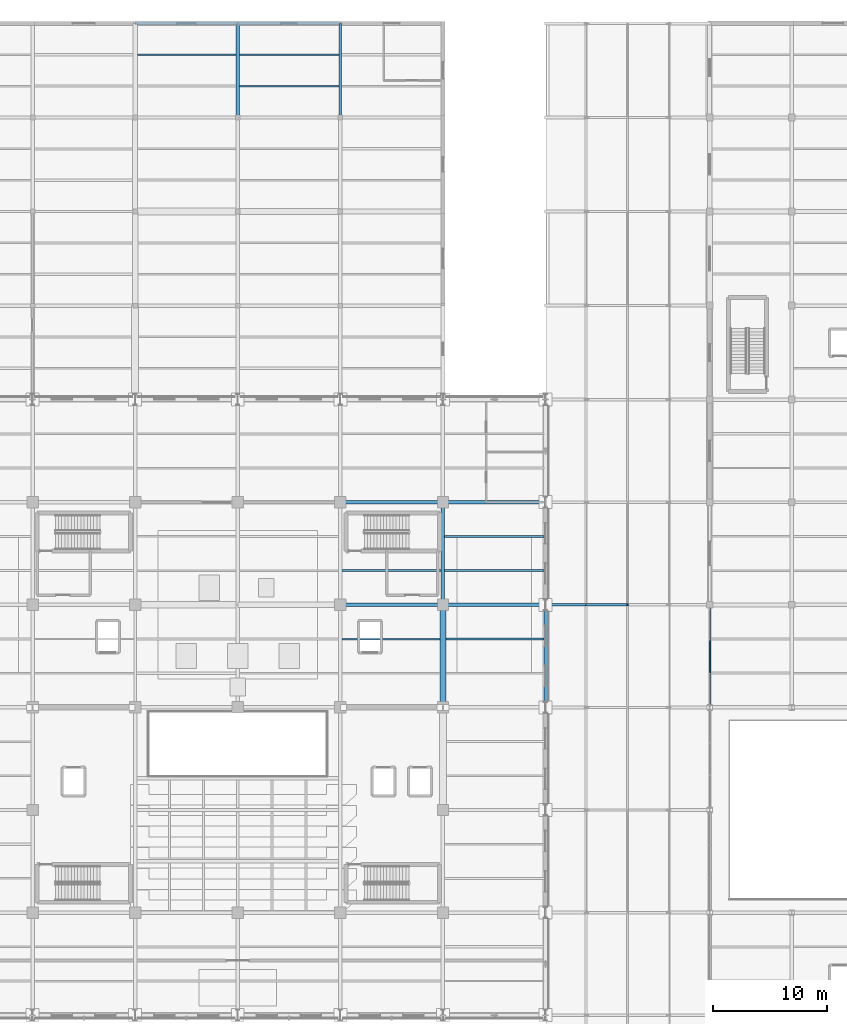
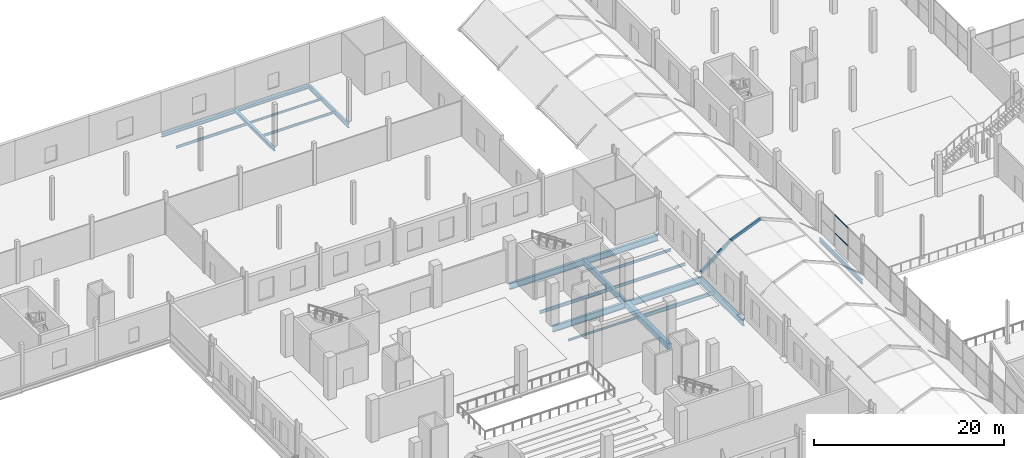
# One storey, part 46 of 141: 20 beams, 5 members, 1 element without a shape of its own.
"""IFC4 building model written with IfcOpenShell, lengths in metres."""

from ifc_helpers import new_model, si_unit, direction, frame, origin, origin_2d, place, context, subcontext, project, spatial, rectangle, hollow_rectangle, i_section, extrude, material, layer, layer_set, material_profile, profile_set, type_object, element, aggregate, save


model = new_model("IFC4")

# Units and contexts
model_context = context("Model", 3, precision=1e-05, world=origin(), true_north=direction((0.0, 1.0)))
body_context = subcontext(model_context, "Body", "Model", "MODEL_VIEW")
ifc_project = project(units=[si_unit("LENGTHUNIT", "METRE"), si_unit("AREAUNIT", "SQUARE_METRE"), si_unit("VOLUMEUNIT", "CUBIC_METRE"), si_unit("PLANEANGLEUNIT", "RADIAN"), si_unit("MASSUNIT", "GRAM", prefix="KILO")], contexts=[model_context])

# Site, building, storey
site_placement = place(None, origin())
site = spatial("IfcSite", under=ifc_project, at=site_placement, CompositionType="ELEMENT")
building_placement = place(site_placement, origin())
building = spatial("IfcBuilding", under=site, at=building_placement, Name="Sundgate Opera House", CompositionType="ELEMENT")
storey_placement = place(building_placement, frame((0.0, 0.0, 11.39990234375)))
storey = spatial("IfcBuildingStorey", under=building, at=storey_placement, Name="L02", CompositionType="ELEMENT", Elevation=11.39990234375)

# Beams
ifc_material_1 = material(Name="Steel S355J2", Category="steel")
ifc_material_profile_1 = material_profile(ifc_material_1, i_section(OverallWidth=0.300048828125, OverallDepth=0.39990234375, WebThickness=0.013427734375, FlangeThickness=0.02392578125, at=origin_2d()), Name="HEB 400")
ifc_profile_set_1 = profile_set([ifc_material_profile_1], Name="Steel S355J2")
beam_type_1 = type_object("IfcBeamType", Name="BM-GR-HEB400", PredefinedType="BEAM", material=ifc_profile_set_1)
beam_1_placement = place(storey_placement, frame((54.0, 111.75, -0.5498046875), z_axis=(0.0, 1.0, 0.0), x_axis=(-1.0, 0.0, 0.0)))
element("IfcBeam", 1, at=beam_1_placement, inside=storey, type_object=beam_type_1, Name="L02 Primary N-S Girder B1832", PredefinedType="BEAM", context=body_context, shape_type="SweptSolid", body=[
    extrude(i_section(OverallWidth=0.300048828125, OverallDepth=0.39990234375, WebThickness=0.013427734375, FlangeThickness=0.02392578125, at=origin_2d()), origin(), (0.0, 0.0, 1.0), 8.25),
])
beam_2_placement = place(storey_placement, frame((54.0, 120.0, -0.5498046875), z_axis=(1.0, 0.0, 0.0), x_axis=(0.0, 1.0, 0.0)))
element("IfcBeam", 2, at=beam_2_placement, inside=storey, type_object=beam_type_1, Name="L02 Primary E-W Girder B2119", PredefinedType="BEAM", context=body_context, shape_type="SweptSolid", body=[
    extrude(i_section(OverallWidth=0.300048828125, OverallDepth=0.39990234375, WebThickness=0.013427734375, FlangeThickness=0.02392578125, at=origin_2d()), origin(), (0.0, 0.0, 1.0), 9.0),
])
ifc_material_2 = material(Name="Steel S355J2", Category="steel")
ifc_material_profile_2 = material_profile(ifc_material_2, i_section(OverallWidth=0.300048828125, OverallDepth=0.449951171875, WebThickness=0.013916015625, FlangeThickness=0.02587890625, at=origin_2d()), Name="HEB 450")
ifc_profile_set_2 = profile_set([ifc_material_profile_2], Name="Steel S355J2")
beam_type_2 = type_object("IfcBeamType", Name="BM-GR-HEB450", PredefinedType="BEAM", material=ifc_profile_set_2)
beam_3_placement = place(storey_placement, frame((45.0, 120.0, -0.574951171875), z_axis=(1.0, 0.0, 0.0), x_axis=(0.0, 1.0, 0.0)))
element("IfcBeam", 3, at=beam_3_placement, inside=storey, type_object=beam_type_2, Name="L02 Primary E-W Girder B2118", PredefinedType="BEAM", context=body_context, shape_type="SweptSolid", body=[
    extrude(i_section(OverallWidth=0.300048828125, OverallDepth=0.449951171875, WebThickness=0.013916015625, FlangeThickness=0.02587890625, at=origin_2d()), origin(), (0.0, 0.0, 1.0), 9.0),
])
ifc_material_3 = material(Name="Steel S355J2", Category="steel")
ifc_material_profile_3 = material_profile(ifc_material_3, i_section(OverallWidth=0.2099609375, OverallDepth=0.550048828125, WebThickness=0.010986328125, FlangeThickness=0.01708984375, at=origin_2d()), Name="IPE 550")
ifc_profile_set_3 = profile_set([ifc_material_profile_3], Name="Steel S355J2")
beam_type_3 = type_object("IfcBeamType", Name="BM-GR-IPE550", PredefinedType="BEAM", material=ifc_profile_set_3)
beam_4_placement = place(storey_placement, frame((95.39990234375, 60.0, -0.625), z_axis=(0.0, 1.0, 0.0), x_axis=(-1.0, 0.0, 0.0)))
element("IfcBeam", 4, at=beam_4_placement, inside=storey, type_object=beam_type_3, Name="L02 Primary N-S Girder B1850", PredefinedType="BEAM", context=body_context, shape_type="SweptSolid", body=[
    extrude(i_section(OverallWidth=0.2099609375, OverallDepth=0.550048828125, WebThickness=0.010986328125, FlangeThickness=0.01708984375, at=origin_2d()), origin(), (0.0, 0.0, 1.0), 9.0),
])
ifc_material_4 = material(Name="Steel S355J2", Category="steel")
ifc_material_profile_4 = material_profile(ifc_material_4, i_section(OverallWidth=0.219970703125, OverallDepth=0.60009765625, WebThickness=0.011962890625, FlangeThickness=0.01904296875, at=origin_2d()), Name="IPE 600")
ifc_profile_set_4 = profile_set([ifc_material_profile_4], Name="Steel S355J2")
beam_type_4 = type_object("IfcBeamType", Name="BM-GR-IPE600", PredefinedType="BEAM", material=ifc_profile_set_4)
beam_5_placement = place(storey_placement, frame((63.0, 111.75, -0.64990234375), z_axis=(0.0, 1.0, 0.0), x_axis=(-1.0, 0.0, 0.0)))
element("IfcBeam", 5, at=beam_5_placement, inside=storey, type_object=beam_type_4, Name="L02 Primary N-S Girder B1837", PredefinedType="BEAM", context=body_context, shape_type="SweptSolid", body=[
    extrude(i_section(OverallWidth=0.219970703125, OverallDepth=0.60009765625, WebThickness=0.011962890625, FlangeThickness=0.01904296875, at=origin_2d()), origin(), (0.0, 0.0, 1.0), 8.25),
])
ifc_material_5 = material(Name="Steel S355J2", Category="steel")
ifc_material_profile_5 = material_profile(ifc_material_5, i_section(OverallWidth=0.135009765625, OverallDepth=0.27001953125, WebThickness=0.006591796875, FlangeThickness=0.01025390625, at=origin_2d()), Name="IPE 270")
ifc_profile_set_5 = profile_set([ifc_material_profile_5], Name="Steel S355J2")
beam_type_5 = type_object("IfcBeamType", Name="BM-JS-IPE270", PredefinedType="JOIST", material=ifc_profile_set_5)
beam_6_placement = place(storey_placement, frame((63.14990234375, 66.0, -0.454833984375), z_axis=(1.0, 0.0, 0.0), x_axis=(0.0, 1.0, 0.0)))
element("IfcBeam", 6, at=beam_6_placement, inside=storey, type_object=beam_type_5, Name="L02 Secondary Floor Joist B2260", PredefinedType="JOIST", context=body_context, shape_type="SweptSolid", body=[
    extrude(i_section(OverallWidth=0.135009765625, OverallDepth=0.27001953125, WebThickness=0.006591796875, FlangeThickness=0.01025390625, at=origin_2d()), origin(), (0.0, 0.0, 1.0), 8.60009765625),
])
beam_7_placement = place(storey_placement, frame((54.14990234375, 117.25, -0.48486328125), z_axis=(1.0, 0.0, 0.0), x_axis=(0.0, 1.0, 0.0)))
element("IfcBeam", 7, at=beam_7_placement, inside=storey, type_object=beam_type_5, Name="L02 Secondary Floor Joist B2428", PredefinedType="JOIST", context=body_context, shape_type="SweptSolid", body=[
    extrude(i_section(OverallWidth=0.135009765625, OverallDepth=0.27001953125, WebThickness=0.006591796875, FlangeThickness=0.01025390625, at=origin_2d()), origin(), (0.0, 0.0, 1.0), 8.739990234375),
])
ifc_material_6 = material(Name="Steel S355J2", Category="steel")
ifc_material_profile_6 = material_profile(ifc_material_6, i_section(OverallWidth=0.14990234375, OverallDepth=0.300048828125, WebThickness=0.007080078125, FlangeThickness=0.0107421875, at=origin_2d()), Name="IPE 300")
ifc_profile_set_6 = profile_set([ifc_material_profile_6], Name="Steel S355J2")
beam_type_6 = type_object("IfcBeamType", Name="BM-JS-IPE300", PredefinedType="JOIST", material=ifc_profile_set_6)
beam_8_placement = place(storey_placement, frame((54.14990234375, 114.5, -0.5), z_axis=(1.0, 0.0, 0.0), x_axis=(0.0, 1.0, 0.0)))
element("IfcBeam", 8, at=beam_8_placement, inside=storey, type_object=beam_type_6, Name="L02 Secondary Floor Joist B2427", PredefinedType="JOIST", context=body_context, shape_type="SweptSolid", body=[
    extrude(i_section(OverallWidth=0.14990234375, OverallDepth=0.300048828125, WebThickness=0.007080078125, FlangeThickness=0.0107421875, at=origin_2d()), origin(), (0.0, 0.0, 1.0), 8.739990234375),
])
ifc_material_7 = material(Name="Steel S355J2", Category="steel")
ifc_material_profile_7 = material_profile(ifc_material_7, i_section(OverallWidth=0.159912109375, OverallDepth=0.330078125, WebThickness=0.007568359375, FlangeThickness=0.011474609375, at=origin_2d()), Name="IPE 330")
ifc_profile_set_7 = profile_set([ifc_material_profile_7], Name="Steel S355J2")
beam_type_7 = type_object("IfcBeamType", Name="BM-JS-IPE330", PredefinedType="JOIST", material=ifc_profile_set_7)
beam_9_placement = place(storey_placement, frame((72.14990234375, 75.0, -0.48486328125), z_axis=(1.0, 0.0, 0.0), x_axis=(0.0, 1.0, 0.0)))
element("IfcBeam", 9, at=beam_9_placement, inside=storey, type_object=beam_type_7, Name="L02 Secondary Floor Joist B2286", PredefinedType="JOIST", context=body_context, shape_type="SweptSolid", body=[
    extrude(i_section(OverallWidth=0.159912109375, OverallDepth=0.330078125, WebThickness=0.007568359375, FlangeThickness=0.011474609375, at=origin_2d()), origin(), (0.0, 0.0, 1.0), 8.7001953125),
])
beam_10_placement = place(storey_placement, frame((45.199951171875, 117.25, -0.514892578125), z_axis=(1.0, 0.0, 0.0), x_axis=(0.0, 1.0, 0.0)))
element("IfcBeam", 10, at=beam_10_placement, inside=storey, type_object=beam_type_7, Name="L02 Secondary Floor Joist B2426", PredefinedType="JOIST", context=body_context, shape_type="SweptSolid", body=[
    extrude(i_section(OverallWidth=0.159912109375, OverallDepth=0.330078125, WebThickness=0.007568359375, FlangeThickness=0.011474609375, at=origin_2d()), origin(), (0.0, 0.0, 1.0), 8.650146484375),
])
ifc_material_8 = material(Name="Steel S355J2", Category="steel")
ifc_material_profile_8 = material_profile(ifc_material_8, i_section(OverallWidth=0.169921875, OverallDepth=0.360107421875, WebThickness=0.008056640625, FlangeThickness=0.0126953125, at=origin_2d()), Name="IPE 360")
ifc_profile_set_8 = profile_set([ifc_material_profile_8], Name="Steel S355J2")
beam_type_8 = type_object("IfcBeamType", Name="BM-JS-IPE360", PredefinedType="JOIST", material=ifc_profile_set_8)
beam_11_placement = place(storey_placement, frame((72.14990234375, 72.0, -0.5), z_axis=(1.0, 0.0, 0.0), x_axis=(0.0, 1.0, 0.0)))
element("IfcBeam", 11, at=beam_11_placement, inside=storey, type_object=beam_type_8, Name="L02 Secondary Floor Joist B2285", PredefinedType="JOIST", context=body_context, shape_type="SweptSolid", body=[
    extrude(i_section(OverallWidth=0.169921875, OverallDepth=0.360107421875, WebThickness=0.008056640625, FlangeThickness=0.0126953125, at=origin_2d()), origin(), (0.0, 0.0, 1.0), 8.7001953125),
])
ifc_material_9 = material(Name="Steel S355J2", Category="steel")
ifc_material_profile_9 = material_profile(ifc_material_9, i_section(OverallWidth=0.179931640625, OverallDepth=0.39990234375, WebThickness=0.008544921875, FlangeThickness=0.013427734375, at=origin_2d()), Name="IPE 400")
ifc_profile_set_9 = profile_set([ifc_material_profile_9], Name="Steel S355J2")
beam_type_9 = type_object("IfcBeamType", Name="BM-JS-IPE400", PredefinedType="JOIST", material=ifc_profile_set_9)
beam_12_placement = place(storey_placement, frame((63.14990234375, 72.0, -0.52001953125), z_axis=(1.0, 0.0, 0.0), x_axis=(0.0, 1.0, 0.0)))
element("IfcBeam", 12, at=beam_12_placement, inside=storey, type_object=beam_type_9, Name="L02 Secondary Floor Joist B2284", PredefinedType="JOIST", context=body_context, shape_type="SweptSolid", body=[
    extrude(i_section(OverallWidth=0.179931640625, OverallDepth=0.39990234375, WebThickness=0.008544921875, FlangeThickness=0.013427734375, at=origin_2d()), origin(), (0.0, 0.0, 1.0), 8.7001953125),
])
ifc_material_10 = material(Name="Steel S355J2", Category="steel")
ifc_material_profile_10 = material_profile(ifc_material_10, i_section(OverallWidth=0.18994140625, OverallDepth=0.449951171875, WebThickness=0.009521484375, FlangeThickness=0.0146484375, at=origin_2d()), Name="IPE 450")
ifc_profile_set_10 = profile_set([ifc_material_profile_10], Name="Steel S355J2")
beam_type_10 = type_object("IfcBeamType", Name="BM-JS-IPE450", PredefinedType="JOIST", material=ifc_profile_set_10)
beam_13_placement = place(storey_placement, frame((72.25, 66.0, -0.544921875), z_axis=(1.0, 0.0, 0.0), x_axis=(0.0, 1.0, 0.0)))
element("IfcBeam", 13, at=beam_13_placement, inside=storey, type_object=beam_type_10, Name="L02 Secondary Floor Joist B2262", PredefinedType="JOIST", context=body_context, shape_type="SweptSolid", body=[
    extrude(i_section(OverallWidth=0.18994140625, OverallDepth=0.449951171875, WebThickness=0.009521484375, FlangeThickness=0.0146484375, at=origin_2d()), origin(), (0.0, 0.0, 1.0), 8.60009765625),
])
ifc_material_11 = material(Name="Steel S355J2", Category="steel")
ifc_material_profile_11 = material_profile(ifc_material_11, i_section(OverallWidth=0.300048828125, OverallDepth=0.800048828125, WebThickness=0.017578125, FlangeThickness=0.032958984375, at=origin_2d()), Name="HEB 800")
ifc_profile_set_11 = profile_set([ifc_material_profile_11], Name="Steel S355J2")
beam_type_11 = type_object("IfcBeamType", Name="BM-OUT-HEB800", PredefinedType="BEAM", material=ifc_profile_set_11)
for number, where, z_axis, x_axis, name in (
    (14, (72.0, 69.0, -0.75), (0.0, 1.0, 0.0), (-1.0, 0.0, 0.0), "L02 Cube Outrigger Back-Span Girder B0040"),
    (15, (63.0, 69.0, -0.75), (1.0, 0.0, 0.0), (0.0, 1.0, 0.0), "L02 Cube Outrigger Back-Span Girder B0053"),
    (16, (72.0, 69.0, -0.75), (1.0, 0.0, 0.0), (0.0, 1.0, 0.0), "L02 Cube Outrigger Girder B0055"),
    (17, (63.0, 78.0, -0.75), (1.0, 0.0, 0.0), (0.0, 1.0, 0.0), "L02 Cube Outrigger Back-Span Girder B0057"),
    (18, (72.0, 78.0, -0.75), (1.0, 0.0, 0.0), (0.0, 1.0, 0.0), "L02 Cube Outrigger Girder B0059"),
):
    element("IfcBeam", number, at=place(storey_placement, frame(where, z_axis=z_axis, x_axis=x_axis)), inside=storey, type_object=beam_type_11, Name=name, PredefinedType="BEAM", context=body_context, shape_type="SweptSolid", body=[
        extrude(i_section(OverallWidth=0.300048828125, OverallDepth=0.800048828125, WebThickness=0.017578125, FlangeThickness=0.032958984375, at=origin_2d()), origin(), (0.0, 0.0, 1.0), 9.0),
    ])
ifc_material_12 = material(Name="Concrete C40/50", Category="concrete")
ifc_material_profile_12 = material_profile(ifc_material_12, rectangle(XDim=0.5, YDim=0.75, at=origin_2d()), Name="RC 500x750")
ifc_profile_set_12 = profile_set([ifc_material_profile_12], Name="Concrete C40/50")
beam_type_12 = type_object("IfcBeamType", Name="BM-RC-500x750", PredefinedType="BEAM", material=ifc_profile_set_12)
beam_14_placement = place(storey_placement, frame((72.0, 60.0, -0.69482421875), z_axis=(0.0, 1.0, 0.0), x_axis=(-1.0, 0.0, 0.0)))
element("IfcBeam", 19, at=beam_14_placement, inside=storey, type_object=beam_type_12, Name="L02 Primary N-S Girder B1839", PredefinedType="BEAM", context=body_context, shape_type="SweptSolid", body=[
    extrude(rectangle(XDim=0.5, YDim=0.75, at=origin_2d()), origin(), (0.0, 0.0, 1.0), 9.0),
])
ifc_material_13 = material(Name="Steel S355ML", Category="steel")
ifc_material_profile_13 = material_profile(ifc_material_13, i_section(OverallWidth=0.300048828125, OverallDepth=0.89990234375, WebThickness=0.0185546875, FlangeThickness=0.034912109375, at=origin_2d()), Name="HEB 900")
ifc_profile_set_13 = profile_set([ifc_material_profile_13], Name="Steel S355ML")
beam_type_13 = type_object("IfcBeamType", Name="BM-TR-HEB900", PredefinedType="BEAM", material=ifc_profile_set_13)
beam_15_placement = place(storey_placement, frame((81.0, 60.0, -0.7998046875), z_axis=(0.0, 1.0, 0.0), x_axis=(-1.0, 0.0, 0.0)))
element("IfcBeam", 20, at=beam_15_placement, inside=storey, type_object=beam_type_13, Name="L02 Cube Perimeter Transfer Girder B0022", PredefinedType="BEAM", context=body_context, shape_type="SweptSolid", body=[
    extrude(i_section(OverallWidth=0.300048828125, OverallDepth=0.89990234375, WebThickness=0.0185546875, FlangeThickness=0.034912109375, at=origin_2d()), origin(), (0.0, 0.0, 1.0), 9.0),
])

# Curtain wall, members
ifc_material_14 = material(Name="Anodized aluminium and low-iron glass", Category="aluminium")
ifc_layer = layer(ifc_material_14, 0.159912109375)
ifc_layer_set = layer_set([ifc_layer], Name="Anodized aluminium and low-iron glass")
curtain_wall_type = type_object("IfcCurtainWallType", Name="CW-STUDIO-DARK", PredefinedType="NOTDEFINED", material=ifc_layer_set)
curtain_wall_placement = place(storey_placement, origin())
curtain_wall = element("IfcCurtainWall", 21, at=curtain_wall_placement, inside=storey, type_object=curtain_wall_type, Name="L02 Curtain Wall CW068", PredefinedType="NOTDEFINED")
ifc_material_15 = material(Name="Anodized aluminium EN AW-6063", Category="aluminium")
ifc_material_profile_14 = material_profile(ifc_material_15, hollow_rectangle(XDim=0.054931640625, YDim=0.1201171875, WallThickness=0.00390625, at=origin_2d()), Name="CWT 120x55x4")
ifc_profile_set_14 = profile_set([ifc_material_profile_14], Name="Anodized aluminium EN AW-6063")
member_type_1 = type_object("IfcMemberType", Name="CWT-ALU-120x55", PredefinedType="USERDEFINED", material=ifc_profile_set_14)
member_1_placement = place(storey_placement, frame((95.39990234375, 65.841552734375, 0.0), z_axis=(0.0, -1.0, 0.0), x_axis=(1.0, 0.0, 0.0)))
member_1 = element("IfcMember", 22, at=member_1_placement, type_object=member_type_1, Name="CW068 Transom 4", ObjectType="TRANSOM", PredefinedType="USERDEFINED", context=body_context, shape_type="SweptSolid", body=[
    extrude(hollow_rectangle(XDim=0.054931640625, YDim=0.1201171875, WallThickness=0.00390625, at=origin_2d()), origin(), (0.0, 0.0, 1.0), 2.80810546875),
])
member_2_placement = place(storey_placement, frame((95.39990234375, 65.841552734375, 2.150146484375), z_axis=(0.0, -1.0, 0.0), x_axis=(1.0, 0.0, 0.0)))
member_2 = element("IfcMember", 23, at=member_2_placement, type_object=member_type_1, Name="CW068 Transom 5", ObjectType="TRANSOM", PredefinedType="USERDEFINED", context=body_context, shape_type="SweptSolid", body=[
    extrude(hollow_rectangle(XDim=0.054931640625, YDim=0.1201171875, WallThickness=0.00390625, at=origin_2d()), origin(), (0.0, 0.0, 1.0), 2.80810546875),
])
member_3_placement = place(storey_placement, frame((95.39990234375, 65.841552734375, 4.455078125), z_axis=(0.0, -1.0, 0.0), x_axis=(1.0, 0.0, 0.0)))
member_3 = element("IfcMember", 24, at=member_3_placement, type_object=member_type_1, Name="CW068 Transom 6", ObjectType="TRANSOM", PredefinedType="USERDEFINED", context=body_context, shape_type="SweptSolid", body=[
    extrude(hollow_rectangle(XDim=0.054931640625, YDim=0.1201171875, WallThickness=0.00390625, at=origin_2d()), origin(), (0.0, 0.0, 1.0), 2.80810546875),
])
aggregate(curtain_wall, [member_1, member_2, member_3])

# Members
ifc_material_16 = material(Name="Steel S355J2", Category="steel")
ifc_material_profile_15 = material_profile(ifc_material_16, hollow_rectangle(XDim=0.199951171875, YDim=0.300048828125, WallThickness=0.012451171875, at=origin_2d()), Name="RHS 300x200x12.5")
ifc_profile_set_15 = profile_set([ifc_material_profile_15], Name="Steel S355J2")
member_type_2 = type_object("IfcMemberType", Name="MB-ARCH-RHS300", PredefinedType="USERDEFINED", material=ifc_profile_set_15)
member_4_placement = place(storey_placement, frame((84.60009765625, 69.0, 3.050048828125), z_axis=(0.923071366561, 0.0, 0.384628719983), x_axis=(0.0, 1.0, 0.0)))
element("IfcMember", 25, at=member_4_placement, inside=storey, type_object=member_type_2, Name="Passage Parabolic Arch Rib M0336", ObjectType="ARCH RIB", PredefinedType="USERDEFINED", context=body_context, shape_type="SweptSolid", body=[
    extrude(hollow_rectangle(XDim=0.199951171875, YDim=0.300048828125, WallThickness=0.012451171875, at=origin_2d()), origin(), (0.0, 0.0, 1.0), 3.89990234375),
])
ifc_material_17 = material(Name="Steel S355ML", Category="steel")
ifc_material_profile_16 = material_profile(ifc_material_17, hollow_rectangle(XDim=0.25, YDim=0.35009765625, WallThickness=0.012451171875, at=origin_2d()), Name="RHS 350x250x12.5")
ifc_profile_set_16 = profile_set([ifc_material_profile_16], Name="Steel S355ML")
member_type_3 = type_object("IfcMemberType", Name="MB-ARCH-RHS350", PredefinedType="USERDEFINED", material=ifc_profile_set_16)
member_5_placement = place(storey_placement, frame((81.0, 69.0, 0.18505859375), z_axis=(0.782465902377, 0.0, 0.622693433093), x_axis=(0.0, 1.0, 0.0)))
element("IfcMember", 26, at=member_5_placement, inside=storey, type_object=member_type_3, Name="Passage Parabolic Arch Rib M0335", ObjectType="ARCH RIB", PredefinedType="USERDEFINED", context=body_context, shape_type="SweptSolid", body=[
    extrude(hollow_rectangle(XDim=0.25, YDim=0.35009765625, WallThickness=0.012451171875, at=origin_2d()), origin(), (0.0, 0.0, 1.0), 4.60107421875),
])

save(model, "model.ifc")
